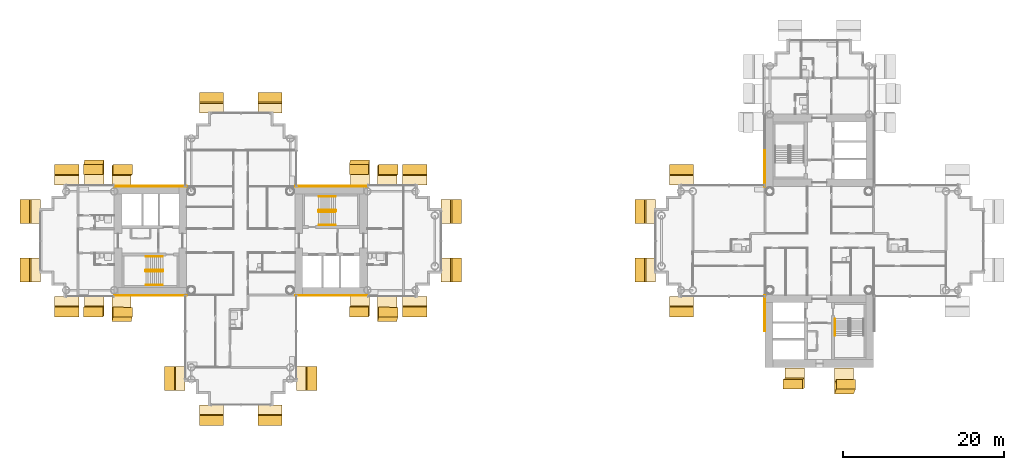
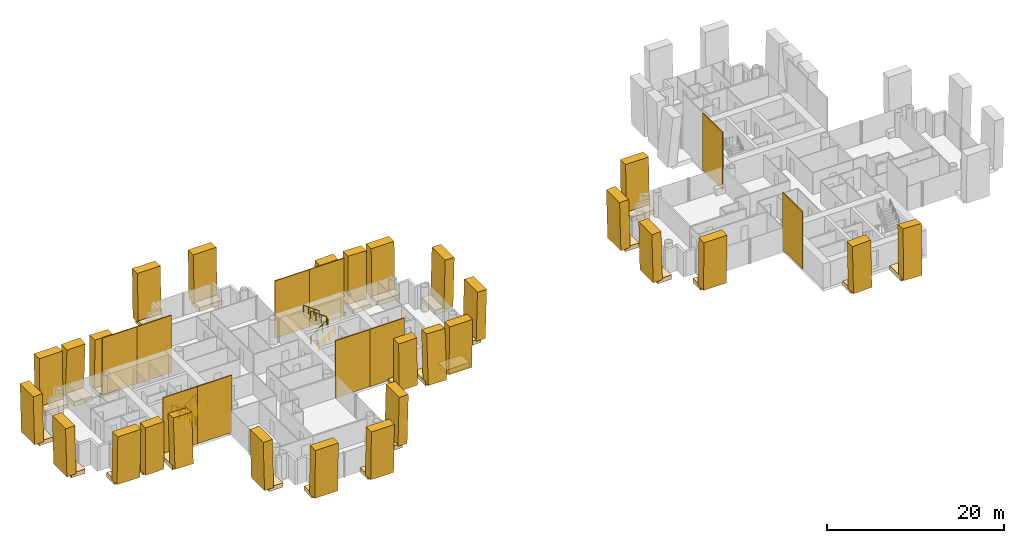
# One storey, part 18 of 20: 66 coverings, 7 railings.
"""IFC4 building model written with IfcOpenShell, lengths in metres."""

from ifc_helpers import new_model, si_unit, direction, frame, origin, origin_2d, place, context, subcontext, project, spatial, rectangle, circle, extrude, material, layer, layer_set, material_profile, profile_set, type_object, element, save


model = new_model("IFC4")

# Units and contexts
model_context = context("Model", 3, precision=1e-05, world=origin(), true_north=direction((0.0, 1.0)))
body_context = subcontext(model_context, "Body", "Model", "MODEL_VIEW")
ifc_project = project(units=[si_unit("LENGTHUNIT", "METRE"), si_unit("AREAUNIT", "SQUARE_METRE"), si_unit("VOLUMEUNIT", "CUBIC_METRE"), si_unit("PLANEANGLEUNIT", "RADIAN"), si_unit("MASSUNIT", "GRAM", prefix="KILO")], contexts=[model_context])

# Site, building, storey
site_placement = place(None, origin())
site = spatial("IfcSite", under=ifc_project, at=site_placement, CompositionType="ELEMENT")
building_placement = place(site_placement, origin())
building = spatial("IfcBuilding", under=site, at=building_placement, Name="Ipe Terrace Towers", CompositionType="ELEMENT")
storey_placement = place(building_placement, frame((0.0, 0.0, 120.800048828125)))
storey = spatial("IfcBuildingStorey", under=building, at=storey_placement, Name="L33", CompositionType="ELEMENT", Elevation=120.800048828125)

# Coverings
ifc_material_1 = material(Name="Concrete C50/60 precast, buff finish", Category="concrete")
ifc_layer = layer(ifc_material_1, 0.1201171875)
ifc_layer_set = layer_set([ifc_layer], Name="STONE CORE CLADDING 120")
covering_type_1 = type_object("IfcCoveringType", Name="STONE CORE CLADDING 120", PredefinedType="CLADDING", material=ifc_layer_set)
covering_1_placement = place(storey_placement, frame((-49.5009765625, -6.81005859375, 0.0), z_axis=(0.0, 0.0, 1.0), x_axis=(1.0, 0.0, 0.0)))
element("IfcCovering", 1, at=covering_1_placement, inside=storey, type_object=covering_type_1, Name="stone core cladding", PredefinedType="CLADDING", context=body_context, shape_type="SweptSolid", body=[
    extrude(rectangle(XDim=4.5009765625, YDim=0.1201171875, at=origin_2d()), origin(), (0.0, 0.0, 1.0), 7.89990234375),
])
covering_2_placement = place(storey_placement, frame((-45.0, -6.81005859375, 0.0), z_axis=(0.0, 0.0, 1.0), x_axis=(1.0, 0.0, 0.0)))
element("IfcCovering", 2, at=covering_2_placement, inside=storey, type_object=covering_type_1, Name="stone core cladding", PredefinedType="CLADDING", context=body_context, shape_type="SweptSolid", body=[
    extrude(rectangle(XDim=4.5, YDim=0.1201171875, at=origin_2d()), origin(), (0.0, 0.0, 1.0), 7.89990234375),
])
covering_3_placement = place(storey_placement, frame((-49.5009765625, 6.81005859375, 0.0), z_axis=(0.0, 0.0, 1.0), x_axis=(-1.0, 0.0, 0.0)))
element("IfcCovering", 3, at=covering_3_placement, inside=storey, type_object=covering_type_1, Name="stone core cladding", PredefinedType="CLADDING", context=body_context, shape_type="SweptSolid", body=[
    extrude(rectangle(XDim=4.5009765625, YDim=0.1201171875, at=origin_2d()), origin(), (0.0, 0.0, 1.0), 7.89990234375),
])
for number, where, z_axis, x_axis, name in (
    (4, (-45.0, 6.81005859375, 0.0), (0.0, 0.0, 1.0), (-1.0, 0.0, 0.0), "stone core cladding"),
    (5, (-27.0, -6.81005859375, 0.0), (0.0, 0.0, 1.0), (1.0, 0.0, 0.0), "stone core cladding"),
):
    element("IfcCovering", number, at=place(storey_placement, frame(where, z_axis=z_axis, x_axis=x_axis)), inside=storey, type_object=covering_type_1, Name=name, PredefinedType="CLADDING", context=body_context, shape_type="SweptSolid", body=[
        extrude(rectangle(XDim=4.5, YDim=0.1201171875, at=origin_2d()), origin(), (0.0, 0.0, 1.0), 7.89990234375),
    ])
covering_4_placement = place(storey_placement, frame((-22.4990234375, -6.81005859375, 0.0), z_axis=(0.0, 0.0, 1.0), x_axis=(1.0, 0.0, 0.0)))
element("IfcCovering", 6, at=covering_4_placement, inside=storey, type_object=covering_type_1, Name="stone core cladding", PredefinedType="CLADDING", context=body_context, shape_type="SweptSolid", body=[
    extrude(rectangle(XDim=4.5009765625, YDim=0.1201171875, at=origin_2d()), origin(), (0.0, 0.0, 1.0), 7.89990234375),
])
covering_5_placement = place(storey_placement, frame((-27.0, 6.81005859375, 0.0), z_axis=(0.0, 0.0, 1.0), x_axis=(-1.0, 0.0, 0.0)))
element("IfcCovering", 7, at=covering_5_placement, inside=storey, type_object=covering_type_1, Name="stone core cladding", PredefinedType="CLADDING", context=body_context, shape_type="SweptSolid", body=[
    extrude(rectangle(XDim=4.5, YDim=0.1201171875, at=origin_2d()), origin(), (0.0, 0.0, 1.0), 7.89990234375),
])
covering_6_placement = place(storey_placement, frame((-22.4990234375, 6.81005859375, 0.0), z_axis=(0.0, 0.0, 1.0), x_axis=(-1.0, 0.0, 0.0)))
element("IfcCovering", 8, at=covering_6_placement, inside=storey, type_object=covering_type_1, Name="stone core cladding", PredefinedType="CLADDING", context=body_context, shape_type="SweptSolid", body=[
    extrude(rectangle(XDim=4.5009765625, YDim=0.1201171875, at=origin_2d()), origin(), (0.0, 0.0, 1.0), 7.89990234375),
])
for number, where, z_axis, x_axis, name in (
    (9, (29.18994140625, -9.0, 0.0), (0.0, 0.0, 1.0), (0.0, -1.0, 0.0), "stone core cladding"),
    (10, (29.18994140625, 9.0, 0.0), (0.0, 0.0, 1.0), (0.0, -1.0, 0.0), "stone core cladding"),
):
    element("IfcCovering", number, at=place(storey_placement, frame(where, z_axis=z_axis, x_axis=x_axis)), inside=storey, type_object=covering_type_1, Name=name, PredefinedType="CLADDING", context=body_context, shape_type="SweptSolid", body=[
        extrude(rectangle(XDim=4.5, YDim=0.1201171875, at=origin_2d()), origin(), (0.0, 0.0, 1.0), 7.89990234375),
    ])
ifc_material_2 = material(Name="Concrete C50/60 precast, buff finish", Category="concrete")
ifc_material_profile_1 = material_profile(ifc_material_2, rectangle(XDim=2.39990234375, YDim=1.199951171875, at=origin_2d()), Name="STONE FIN 2400 x 1200")
ifc_profile_set_1 = profile_set([ifc_material_profile_1], Name="Concrete C50/60 precast, buff finish")
covering_type_2 = type_object("IfcCoveringType", Name="STONE FIN 2400 x 1200", PredefinedType="USERDEFINED", material=ifc_profile_set_1)
covering_7_placement = place(storey_placement, frame((-17.785888671875, -9.47509765625, 0.0), z_axis=(0.020210245286, 0.089912006855, 0.995744634436), x_axis=(0.999795752134, -0.001817514937, -0.020128354477)))
element("IfcCovering", 11, at=covering_7_placement, inside=storey, type_object=covering_type_2, Name="stone fin", ObjectType="FIN", PredefinedType="USERDEFINED", context=body_context, shape_type="SweptSolid", body=[
    extrude(rectangle(XDim=2.39990234375, YDim=1.199951171875, at=origin_2d()), origin(), (0.0, 0.0, 1.0), 6.728515625),
])
for number, where, z_axis, x_axis, name in (
    (12, (-17.785888671875, 8.701904296875, 0.0), (0.020286045552, 0.025093510566, 0.999479260457), (-0.999794217005, 0.000509152872, 0.020279655014), "stone fin"),
    (13, (-21.1640625, -8.701904296875, 0.0), (-0.020286045552, -0.025093510566, 0.999479260457), (0.999794217005, -0.000509152872, 0.020279655014), "stone fin"),
):
    element("IfcCovering", number, at=place(storey_placement, frame(where, z_axis=z_axis, x_axis=x_axis)), inside=storey, type_object=covering_type_2, Name=name, ObjectType="FIN", PredefinedType="USERDEFINED", context=body_context, shape_type="SweptSolid", body=[
        extrude(rectangle(XDim=2.39990234375, YDim=1.199951171875, at=origin_2d()), origin(), (0.0, 0.0, 1.0), 6.703369140625),
    ])
for number, where, z_axis, x_axis, name in (
    (14, (-21.1640625, 9.47509765625, 0.0), (-0.020210245286, -0.089912006855, 0.995744634436), (-0.999795752134, 0.001817514937, -0.020128354477), "stone fin"),
    (15, (-50.8359375, -9.47509765625, 0.0), (0.020210245286, 0.089912006855, 0.995744634436), (0.999795752134, -0.001817514937, -0.020128354477), "stone fin"),
):
    element("IfcCovering", number, at=place(storey_placement, frame(where, z_axis=z_axis, x_axis=x_axis)), inside=storey, type_object=covering_type_2, Name=name, ObjectType="FIN", PredefinedType="USERDEFINED", context=body_context, shape_type="SweptSolid", body=[
        extrude(rectangle(XDim=2.39990234375, YDim=1.199951171875, at=origin_2d()), origin(), (0.0, 0.0, 1.0), 6.728515625),
    ])
for number, where, z_axis, x_axis, name in (
    (16, (-50.8359375, 8.701904296875, 0.0), (0.020286045552, 0.025093510566, 0.999479260457), (-0.999794217005, 0.000509152872, 0.020279655014), "stone fin"),
    (17, (-54.214111328125, -8.701904296875, 0.0), (-0.020286045552, -0.025093510566, 0.999479260457), (0.999794217005, -0.000509152872, 0.020279655014), "stone fin"),
):
    element("IfcCovering", number, at=place(storey_placement, frame(where, z_axis=z_axis, x_axis=x_axis)), inside=storey, type_object=covering_type_2, Name=name, ObjectType="FIN", PredefinedType="USERDEFINED", context=body_context, shape_type="SweptSolid", body=[
        extrude(rectangle(XDim=2.39990234375, YDim=1.199951171875, at=origin_2d()), origin(), (0.0, 0.0, 1.0), 6.703369140625),
    ])
covering_8_placement = place(storey_placement, frame((-54.214111328125, 9.47509765625, 0.0), z_axis=(-0.020210245286, -0.089912006855, 0.995744634436), x_axis=(-0.999795752134, 0.001817514937, -0.020128354477)))
element("IfcCovering", 18, at=covering_8_placement, inside=storey, type_object=covering_type_2, Name="stone fin", ObjectType="FIN", PredefinedType="USERDEFINED", context=body_context, shape_type="SweptSolid", body=[
    extrude(rectangle(XDim=2.39990234375, YDim=1.199951171875, at=origin_2d()), origin(), (0.0, 0.0, 1.0), 6.728515625),
])
covering_9_placement = place(storey_placement, frame((32.946044921875, -17.701904296875, 0.0), z_axis=(-0.036694378133, -0.025081772355, 0.999011725311), x_axis=(0.999326534529, -0.000920980287, 0.03668281862)))
element("IfcCovering", 19, at=covering_9_placement, inside=storey, type_object=covering_type_2, Name="stone fin", ObjectType="FIN", PredefinedType="USERDEFINED", context=body_context, shape_type="SweptSolid", body=[
    extrude(rectangle(XDim=2.39990234375, YDim=1.199951171875, at=origin_2d()), origin(), (0.0, 0.0, 1.0), 6.70654296875),
])
covering_10_placement = place(storey_placement, frame((39.053955078125, -18.47509765625, 0.0), z_axis=(0.036557394483, 0.089870261437, 0.995282318248), x_axis=(0.999331555045, -0.003287620187, -0.036409265921)))
element("IfcCovering", 20, at=covering_10_placement, inside=storey, type_object=covering_type_2, Name="stone fin", ObjectType="FIN", PredefinedType="USERDEFINED", context=body_context, shape_type="SweptSolid", body=[
    extrude(rectangle(XDim=2.39990234375, YDim=1.199951171875, at=origin_2d()), origin(), (0.0, 0.0, 1.0), 6.731689453125),
])
ifc_material_3 = material(Name="Concrete C50/60 precast, buff finish", Category="concrete")
ifc_material_profile_2 = material_profile(ifc_material_3, rectangle(XDim=3.0, YDim=1.199951171875, at=origin_2d()), Name="STONE FIN CORNER 3000 x 1200")
ifc_profile_set_2 = profile_set([ifc_material_profile_2], Name="Concrete C50/60 precast, buff finish")
covering_type_3 = type_object("IfcCoveringType", Name="STONE FIN CORNER 3000 x 1200", PredefinedType="USERDEFINED", material=ifc_profile_set_2)
for number, where, z_axis, x_axis, name in (
    (21, (-9.298095703125, -3.64990234375, 0.0), (0.025098675446, 0.0, 0.999684978626), (0.0, 1.0, 0.0), "stone fin"),
    (22, (-9.298095703125, 3.64990234375, 0.0), (0.025098675446, 0.0, 0.999684978626), (0.0, 1.0, 0.0), "stone fin"),
    (23, (-14.35009765625, -8.701904296875, 0.0), (0.0, -0.025098675446, 0.999684978626), (1.0, 0.0, 0.0), "stone fin"),
    (24, (-14.35009765625, 8.701904296875, 0.0), (0.0, 0.025098675446, 0.999684978626), (-1.0, 0.0, 0.0), "stone fin"),
    (25, (-27.298095703125, -17.14990234375, 0.0), (0.025098675446, 0.0, 0.999684978626), (0.0, 1.0, 0.0), "stone fin"),
    (26, (-32.35009765625, -22.201904296875, 0.0), (0.0, -0.025098675446, 0.999684978626), (1.0, 0.0, 0.0), "stone fin"),
    (27, (-32.35009765625, 17.701904296875, 0.0), (0.0, 0.025098675446, 0.999684978626), (-1.0, 0.0, 0.0), "stone fin"),
    (28, (-39.64990234375, -22.201904296875, 0.0), (0.0, -0.025098675446, 0.999684978626), (1.0, 0.0, 0.0), "stone fin"),
    (29, (-39.64990234375, 17.701904296875, 0.0), (0.0, 0.025098675446, 0.999684978626), (-1.0, 0.0, 0.0), "stone fin"),
    (30, (-44.701904296875, -17.14990234375, 0.0), (-0.025098675446, 0.0, 0.999684978626), (0.0, -1.0, 0.0), "stone fin"),
    (31, (-57.64990234375, -8.701904296875, 0.0), (0.0, -0.025098675446, 0.999684978626), (1.0, 0.0, 0.0), "stone fin"),
    (32, (-57.64990234375, 8.701904296875, 0.0), (0.0, 0.025098675446, 0.999684978626), (-1.0, 0.0, 0.0), "stone fin"),
    (33, (-62.701904296875, -3.64990234375, 0.0), (-0.025098675446, 0.0, 0.999684978626), (0.0, -1.0, 0.0), "stone fin"),
    (34, (-62.701904296875, 3.64990234375, 0.0), (-0.025098675446, 0.0, 0.999684978626), (0.0, -1.0, 0.0), "stone fin"),
    (35, (13.798095703125, -3.64990234375, 0.0), (-0.025098675446, 0.0, 0.999684978626), (0.0, -1.0, 0.0), "stone fin"),
    (36, (13.798095703125, 3.64990234375, 0.0), (-0.025098675446, 0.0, 0.999684978626), (0.0, -1.0, 0.0), "stone fin"),
    (37, (18.85009765625, -8.701904296875, 0.0), (0.0, -0.025098675446, 0.999684978626), (1.0, 0.0, 0.0), "stone fin"),
    (38, (18.85009765625, 8.701904296875, 0.0), (0.0, 0.025098675446, 0.999684978626), (-1.0, 0.0, 0.0), "stone fin"),
):
    element("IfcCovering", number, at=place(storey_placement, frame(where, z_axis=z_axis, x_axis=x_axis)), inside=storey, type_object=covering_type_3, Name=name, ObjectType="FIN", PredefinedType="USERDEFINED", context=body_context, shape_type="SweptSolid", body=[
        extrude(rectangle(XDim=3.0, YDim=1.199951171875, at=origin_2d()), origin(), (0.0, 0.0, 1.0), 6.7021484375),
    ])
ifc_material_4 = material(Name="Concrete C50/60 precast, buff finish", Category="concrete")
covering_type_4 = type_object("IfcCoveringType", Name="STONE FIN SHELF 2400 x 600", PredefinedType="CLADDING", material=ifc_material_4)
covering_11_placement = place(storey_placement, frame((-17.785888671875, -8.195068359375, -0.35009765625), z_axis=(0.0, 0.0, 1.0), x_axis=(1.0, 0.0, 0.0)))
element("IfcCovering", 39, at=covering_11_placement, inside=storey, type_object=covering_type_4, Name="stone fin shelf", PredefinedType="CLADDING", context=body_context, shape_type="SweptSolid", body=[
    extrude(rectangle(XDim=2.39990234375, YDim=2.55908203125, at=origin_2d()), origin(), (0.0, 0.0, 1.0), 0.60009765625),
])
covering_12_placement = place(storey_placement, frame((-17.785888671875, 7.80908203125, -0.35009765625), z_axis=(0.0, 0.0, 1.0), x_axis=(-1.0, 0.0, 0.0)))
element("IfcCovering", 40, at=covering_12_placement, inside=storey, type_object=covering_type_4, Name="stone fin shelf", PredefinedType="CLADDING", context=body_context, shape_type="SweptSolid", body=[
    extrude(rectangle(XDim=2.39990234375, YDim=1.785888671875, at=origin_2d()), origin(), (0.0, 0.0, 1.0), 0.60009765625),
])
covering_13_placement = place(storey_placement, frame((-21.1640625, -7.781005859375, -0.35009765625), z_axis=(0.0, 0.0, 1.0), x_axis=(1.0, 0.0, 0.0)))
element("IfcCovering", 41, at=covering_13_placement, inside=storey, type_object=covering_type_4, Name="stone fin shelf", PredefinedType="CLADDING", context=body_context, shape_type="SweptSolid", body=[
    extrude(rectangle(XDim=2.39990234375, YDim=1.842041015625, at=origin_2d()), origin(), (0.0, 0.0, 1.0), 0.60009765625),
])
for number, where, z_axis, x_axis, name in (
    (42, (-21.1640625, 8.16796875, -0.35009765625), (0.0, 0.0, 1.0), (-1.0, 0.0, 0.0), "stone fin shelf"),
    (43, (-50.8359375, -8.16796875, -0.35009765625), (0.0, 0.0, 1.0), (1.0, 0.0, 0.0), "stone fin shelf"),
):
    element("IfcCovering", number, at=place(storey_placement, frame(where, z_axis=z_axis, x_axis=x_axis)), inside=storey, type_object=covering_type_4, Name=name, PredefinedType="CLADDING", context=body_context, shape_type="SweptSolid", body=[
        extrude(rectangle(XDim=2.39990234375, YDim=2.614990234375, at=origin_2d()), origin(), (0.0, 0.0, 1.0), 0.60009765625),
    ])
covering_14_placement = place(storey_placement, frame((-50.8359375, 7.781005859375, -0.35009765625), z_axis=(0.0, 0.0, 1.0), x_axis=(-1.0, 0.0, 0.0)))
element("IfcCovering", 44, at=covering_14_placement, inside=storey, type_object=covering_type_4, Name="stone fin shelf", PredefinedType="CLADDING", context=body_context, shape_type="SweptSolid", body=[
    extrude(rectangle(XDim=2.39990234375, YDim=1.842041015625, at=origin_2d()), origin(), (0.0, 0.0, 1.0), 0.60009765625),
])
covering_15_placement = place(storey_placement, frame((-54.214111328125, -7.80908203125, -0.35009765625), z_axis=(0.0, 0.0, 1.0), x_axis=(1.0, 0.0, 0.0)))
element("IfcCovering", 45, at=covering_15_placement, inside=storey, type_object=covering_type_4, Name="stone fin shelf", PredefinedType="CLADDING", context=body_context, shape_type="SweptSolid", body=[
    extrude(rectangle(XDim=2.39990234375, YDim=1.785888671875, at=origin_2d()), origin(), (0.0, 0.0, 1.0), 0.60009765625),
])
covering_16_placement = place(storey_placement, frame((-54.214111328125, 8.195068359375, -0.35009765625), z_axis=(0.0, 0.0, 1.0), x_axis=(-1.0, 0.0, 0.0)))
element("IfcCovering", 46, at=covering_16_placement, inside=storey, type_object=covering_type_4, Name="stone fin shelf", PredefinedType="CLADDING", context=body_context, shape_type="SweptSolid", body=[
    extrude(rectangle(XDim=2.39990234375, YDim=2.55908203125, at=origin_2d()), origin(), (0.0, 0.0, 1.0), 0.60009765625),
])
covering_17_placement = place(storey_placement, frame((32.946044921875, -16.781005859375, -0.35009765625), z_axis=(0.0, 0.0, 1.0), x_axis=(1.0, 0.0, 0.0)))
element("IfcCovering", 47, at=covering_17_placement, inside=storey, type_object=covering_type_4, Name="stone fin shelf", PredefinedType="CLADDING", context=body_context, shape_type="SweptSolid", body=[
    extrude(rectangle(XDim=2.39990234375, YDim=1.842041015625, at=origin_2d()), origin(), (0.0, 0.0, 1.0), 0.60009765625),
])
covering_18_placement = place(storey_placement, frame((39.053955078125, -17.16796875, -0.35009765625), z_axis=(0.0, 0.0, 1.0), x_axis=(1.0, 0.0, 0.0)))
element("IfcCovering", 48, at=covering_18_placement, inside=storey, type_object=covering_type_4, Name="stone fin shelf", PredefinedType="CLADDING", context=body_context, shape_type="SweptSolid", body=[
    extrude(rectangle(XDim=2.39990234375, YDim=2.614990234375, at=origin_2d()), origin(), (0.0, 0.0, 1.0), 0.60009765625),
])
ifc_material_5 = material(Name="Concrete C50/60 precast, buff finish", Category="concrete")
covering_type_5 = type_object("IfcCoveringType", Name="STONE FIN SHELF 3000 x 600", PredefinedType="CLADDING", material=ifc_material_5)
for number, where, z_axis, x_axis, name in (
    (49, (-10.19091796875, -3.64990234375, -0.35009765625), (0.0, 0.0, 1.0), (0.0, 1.0, 0.0), "stone fin shelf"),
    (50, (-10.19091796875, 3.64990234375, -0.35009765625), (0.0, 0.0, 1.0), (0.0, 1.0, 0.0), "stone fin shelf"),
    (51, (-14.35009765625, -7.80908203125, -0.35009765625), (0.0, 0.0, 1.0), (1.0, 0.0, 0.0), "stone fin shelf"),
    (52, (-14.35009765625, 7.80908203125, -0.35009765625), (0.0, 0.0, 1.0), (-1.0, 0.0, 0.0), "stone fin shelf"),
    (53, (-28.19091796875, -17.14990234375, -0.35009765625), (0.0, 0.0, 1.0), (0.0, 1.0, 0.0), "stone fin shelf"),
    (54, (-32.35009765625, -21.30908203125, -0.35009765625), (0.0, 0.0, 1.0), (1.0, 0.0, 0.0), "stone fin shelf"),
    (55, (-32.35009765625, 16.80908203125, -0.35009765625), (0.0, 0.0, 1.0), (-1.0, 0.0, 0.0), "stone fin shelf"),
    (56, (-39.64990234375, -21.30908203125, -0.35009765625), (0.0, 0.0, 1.0), (1.0, 0.0, 0.0), "stone fin shelf"),
    (57, (-39.64990234375, 16.80908203125, -0.35009765625), (0.0, 0.0, 1.0), (-1.0, 0.0, 0.0), "stone fin shelf"),
    (58, (-43.80908203125, -17.14990234375, -0.35009765625), (0.0, 0.0, 1.0), (0.0, -1.0, 0.0), "stone fin shelf"),
    (59, (-57.64990234375, -7.80908203125, -0.35009765625), (0.0, 0.0, 1.0), (1.0, 0.0, 0.0), "stone fin shelf"),
    (60, (-57.64990234375, 7.80908203125, -0.35009765625), (0.0, 0.0, 1.0), (-1.0, 0.0, 0.0), "stone fin shelf"),
    (61, (-61.80908203125, -3.64990234375, -0.35009765625), (0.0, 0.0, 1.0), (0.0, -1.0, 0.0), "stone fin shelf"),
    (62, (-61.80908203125, 3.64990234375, -0.35009765625), (0.0, 0.0, 1.0), (0.0, -1.0, 0.0), "stone fin shelf"),
    (63, (14.69091796875, -3.64990234375, -0.35009765625), (0.0, 0.0, 1.0), (0.0, -1.0, 0.0), "stone fin shelf"),
    (64, (14.69091796875, 3.64990234375, -0.35009765625), (0.0, 0.0, 1.0), (0.0, -1.0, 0.0), "stone fin shelf"),
    (65, (18.85009765625, -7.80908203125, -0.35009765625), (0.0, 0.0, 1.0), (1.0, 0.0, 0.0), "stone fin shelf"),
    (66, (18.85009765625, 7.80908203125, -0.35009765625), (0.0, 0.0, 1.0), (-1.0, 0.0, 0.0), "stone fin shelf"),
):
    element("IfcCovering", number, at=place(storey_placement, frame(where, z_axis=z_axis, x_axis=x_axis)), inside=storey, type_object=covering_type_5, Name=name, PredefinedType="CLADDING", context=body_context, shape_type="SweptSolid", body=[
        extrude(rectangle(XDim=3.0, YDim=1.785888671875, at=origin_2d()), origin(), (0.0, 0.0, 1.0), 0.60009765625),
    ])

# Railings
ifc_material_6 = material(Name="Steel S355", Category="steel")
railing_type_1 = type_object("IfcRailingType", Name="Stair guard 1100", PredefinedType="GUARDRAIL", material=ifc_material_6)
railing_1_placement = place(storey_placement, frame((-26.35009765625, 3.800048828125, 0.0)))
element("IfcRailing", 67, at=railing_1_placement, inside=storey, type_object=railing_type_1, Name="L33 T1-ST1 stair guard 1", PredefinedType="GUARDRAIL", context=body_context, shape_type="SweptSolid", body=[
    extrude(circle(Radius=0.02392578125, at=origin_2d()), frame((0.0, 0.0, 1.076171875), z_axis=(0.0, -1.0, 0.0), x_axis=(1.0, 0.0, 0.0)), (0.0, 0.0, 1.0), 0.150146484375),
    extrude(circle(Radius=0.02392578125, at=origin_2d()), frame((0.0, -0.150146484375, 1.076171875), z_axis=(0.248385422981, -0.247173786771, 0.936594790069), x_axis=(0.705375805398, 0.708833529934, 0.0)), (0.0, 0.0, 1.0), 0.201416015625),
    extrude(circle(Radius=0.02392578125, at=origin_2d()), frame((0.050048828125, -0.199951171875, 1.2646484375), z_axis=(0.809023421508, 0.0, 0.587776406001), x_axis=(0.0, 1.0, 0.0)), (0.0, 0.0, 1.0), 2.571044921875),
    extrude(circle(Radius=0.02392578125, at=origin_2d()), frame((2.130126953125, -0.199951171875, 2.77587890625), z_axis=(0.708833529934, 0.705375805398, 0.0), x_axis=(-0.705375805398, 0.708833529934, 0.0)), (0.0, 0.0, 1.0), 0.070556640625),
    extrude(circle(Radius=0.02392578125, at=origin_2d()), frame((2.18017578125, -0.150146484375, 2.77587890625), z_axis=(0.0, 1.0, 0.0), x_axis=(-1.0, 0.0, 0.0)), (0.0, 0.0, 1.0), 0.150146484375),
    extrude(circle(Radius=0.02392578125, at=origin_2d()), frame((2.18017578125, 0.0, 2.77587890625), z_axis=(-0.248029566107, 0.248029566107, 0.936462849596), x_axis=(-0.707106781187, -0.707106781187, 0.0)), (0.0, 0.0, 1.0), 0.201904296875),
    extrude(circle(Radius=0.02392578125, at=origin_2d()), frame((2.130126953125, 0.050048828125, 2.96484375), z_axis=(-0.809068575486, 0.0, 0.587714250432), x_axis=(0.0, -1.0, 0.0)), (0.0, 0.0, 1.0), 2.571044921875),
    extrude(circle(Radius=0.02099609375, at=origin_2d()), origin(), (0.0, 0.0, 1.0), 1.052001953125),
    extrude(circle(Radius=0.02099609375, at=origin_2d()), frame((0.0, -0.150146484375, 0.0)), (0.0, 0.0, 1.0), 1.052001953125),
    extrude(circle(Radius=0.02099609375, at=origin_2d()), frame((0.050048828125, -0.199951171875, 0.188720703125)), (0.0, 0.0, 1.0), 1.052001953125),
    extrude(circle(Radius=0.02099609375, at=origin_2d()), frame((0.743408203125, -0.199951171875, 0.6923828125)), (0.0, 0.0, 1.0), 1.052001953125),
    extrude(circle(Radius=0.02099609375, at=origin_2d()), frame((1.436767578125, -0.199951171875, 1.1962890625)), (0.0, 0.0, 1.0), 1.052001953125),
    extrude(circle(Radius=0.02099609375, at=origin_2d()), frame((2.130126953125, -0.199951171875, 1.699951171875)), (0.0, 0.0, 1.0), 1.052001953125),
    extrude(circle(Radius=0.02099609375, at=origin_2d()), frame((2.18017578125, -0.150146484375, 1.699951171875)), (0.0, 0.0, 1.0), 1.052001953125),
    extrude(circle(Radius=0.02099609375, at=origin_2d()), frame((2.18017578125, 0.0, 1.699951171875)), (0.0, 0.0, 1.0), 1.052001953125),
    extrude(circle(Radius=0.02099609375, at=origin_2d()), frame((2.130126953125, 0.050048828125, 1.888916015625)), (0.0, 0.0, 1.0), 1.052001953125),
    extrude(circle(Radius=0.02099609375, at=origin_2d()), frame((1.436767578125, 0.050048828125, 2.392578125)), (0.0, 0.0, 1.0), 1.052001953125),
    extrude(circle(Radius=0.02099609375, at=origin_2d()), frame((0.743408203125, 0.050048828125, 2.896240234375)), (0.0, 0.0, 1.0), 1.052001953125),
    extrude(circle(Radius=0.02099609375, at=origin_2d()), frame((0.050048828125, 0.050048828125, 3.39990234375)), (0.0, 0.0, 1.0), 1.052001953125),
])
railing_2_placement = place(storey_placement, frame((-45.64990234375, -3.800048828125, 0.0)))
element("IfcRailing", 68, at=railing_2_placement, inside=storey, type_object=railing_type_1, Name="L33 T1-ST2 stair guard 1", PredefinedType="GUARDRAIL", context=body_context, shape_type="SweptSolid", body=[
    extrude(circle(Radius=0.02392578125, at=origin_2d()), frame((0.0, 0.0, 1.076171875), z_axis=(0.0, 1.0, 0.0), x_axis=(-1.0, 0.0, 0.0)), (0.0, 0.0, 1.0), 0.150146484375),
    extrude(circle(Radius=0.02392578125, at=origin_2d()), frame((0.0, 0.150146484375, 1.076171875), z_axis=(-0.248385422981, 0.247173786771, 0.936594790069), x_axis=(-0.705375805398, -0.708833529934, 0.0)), (0.0, 0.0, 1.0), 0.201416015625),
    extrude(circle(Radius=0.02392578125, at=origin_2d()), frame((-0.050048828125, 0.199951171875, 1.2646484375), z_axis=(-0.809023421508, 0.0, 0.587776406001), x_axis=(0.0, -1.0, 0.0)), (0.0, 0.0, 1.0), 2.571044921875),
    extrude(circle(Radius=0.02392578125, at=origin_2d()), frame((-2.130126953125, 0.199951171875, 2.77587890625), z_axis=(-0.708833529934, -0.705375805398, 0.0), x_axis=(0.705375805398, -0.708833529934, 0.0)), (0.0, 0.0, 1.0), 0.070556640625),
    extrude(circle(Radius=0.02392578125, at=origin_2d()), frame((-2.18017578125, 0.150146484375, 2.77587890625), z_axis=(0.0, -1.0, 0.0), x_axis=(1.0, 0.0, 0.0)), (0.0, 0.0, 1.0), 0.150146484375),
    extrude(circle(Radius=0.02392578125, at=origin_2d()), frame((-2.18017578125, 0.0, 2.77587890625), z_axis=(0.248029566107, -0.248029566107, 0.936462849596), x_axis=(0.707106781187, 0.707106781187, 0.0)), (0.0, 0.0, 1.0), 0.201904296875),
    extrude(circle(Radius=0.02392578125, at=origin_2d()), frame((-2.130126953125, -0.050048828125, 2.96484375), z_axis=(0.809068575486, 0.0, 0.587714250432), x_axis=(0.0, 1.0, 0.0)), (0.0, 0.0, 1.0), 2.571044921875),
    extrude(circle(Radius=0.02099609375, at=origin_2d()), origin(), (0.0, 0.0, 1.0), 1.052001953125),
    extrude(circle(Radius=0.02099609375, at=origin_2d()), frame((0.0, 0.150146484375, 0.0)), (0.0, 0.0, 1.0), 1.052001953125),
    extrude(circle(Radius=0.02099609375, at=origin_2d()), frame((-0.050048828125, 0.199951171875, 0.188720703125)), (0.0, 0.0, 1.0), 1.052001953125),
    extrude(circle(Radius=0.02099609375, at=origin_2d()), frame((-0.743408203125, 0.199951171875, 0.6923828125)), (0.0, 0.0, 1.0), 1.052001953125),
    extrude(circle(Radius=0.02099609375, at=origin_2d()), frame((-1.436767578125, 0.199951171875, 1.1962890625)), (0.0, 0.0, 1.0), 1.052001953125),
    extrude(circle(Radius=0.02099609375, at=origin_2d()), frame((-2.130126953125, 0.199951171875, 1.699951171875)), (0.0, 0.0, 1.0), 1.052001953125),
    extrude(circle(Radius=0.02099609375, at=origin_2d()), frame((-2.18017578125, 0.150146484375, 1.699951171875)), (0.0, 0.0, 1.0), 1.052001953125),
    extrude(circle(Radius=0.02099609375, at=origin_2d()), frame((-2.18017578125, 0.0, 1.699951171875)), (0.0, 0.0, 1.0), 1.052001953125),
    extrude(circle(Radius=0.02099609375, at=origin_2d()), frame((-2.130126953125, -0.050048828125, 1.888916015625)), (0.0, 0.0, 1.0), 1.052001953125),
    extrude(circle(Radius=0.02099609375, at=origin_2d()), frame((-1.436767578125, -0.050048828125, 2.392578125)), (0.0, 0.0, 1.0), 1.052001953125),
    extrude(circle(Radius=0.02099609375, at=origin_2d()), frame((-0.743408203125, -0.050048828125, 2.896240234375)), (0.0, 0.0, 1.0), 1.052001953125),
    extrude(circle(Radius=0.02099609375, at=origin_2d()), frame((-0.050048828125, -0.050048828125, 3.39990234375)), (0.0, 0.0, 1.0), 1.052001953125),
])
ifc_material_7 = material(Name="Stainless steel grade 304", Category="steel")
railing_type_2 = type_object("IfcRailingType", Name="Stair handrail 900", PredefinedType="HANDRAIL", material=ifc_material_7)
railing_3_placement = place(storey_placement, frame((-26.300048828125, 1.949951171875, 0.188720703125)))
element("IfcRailing", 69, at=railing_3_placement, inside=storey, type_object=railing_type_2, Name="L33 T1-ST1 stair handrail 1", PredefinedType="HANDRAIL", context=body_context, shape_type="SweptSolid", body=[
    extrude(circle(Radius=0.02392578125, at=origin_2d()), frame((0.0, 0.0, 0.8759765625), z_axis=(0.809023421508, 0.0, 0.587776406001), x_axis=(0.0, 1.0, 0.0)), (0.0, 0.0, 1.0), 2.571044921875),
    extrude(circle(Radius=0.02099609375, at=origin_2d()), origin(), (0.0, 0.0, 1.0), 0.851806640625),
    extrude(circle(Radius=0.02099609375, at=origin_2d()), frame((0.693359375, 0.0, 0.503662109375)), (0.0, 0.0, 1.0), 0.851806640625),
    extrude(circle(Radius=0.02099609375, at=origin_2d()), frame((1.38671875, 0.0, 1.007568359375)), (0.0, 0.0, 1.0), 0.851806640625),
    extrude(circle(Radius=0.02099609375, at=origin_2d()), frame((2.080078125, 0.0, 1.51123046875)), (0.0, 0.0, 1.0), 0.851806640625),
])
railing_4_placement = place(storey_placement, frame((-24.219970703125, 5.5, 1.888916015625)))
element("IfcRailing", 70, at=railing_4_placement, inside=storey, type_object=railing_type_2, Name="L33 T1-ST1 stair handrail 2", PredefinedType="HANDRAIL", context=body_context, shape_type="SweptSolid", body=[
    extrude(circle(Radius=0.02392578125, at=origin_2d()), frame((0.0, 0.0, 0.8759765625), z_axis=(-0.809068575486, 0.0, 0.587714250432), x_axis=(0.0, -1.0, 0.0)), (0.0, 0.0, 1.0), 2.571044921875),
    extrude(circle(Radius=0.02099609375, at=origin_2d()), origin(), (0.0, 0.0, 1.0), 0.851806640625),
    extrude(circle(Radius=0.02099609375, at=origin_2d()), frame((-0.693359375, 0.0, 0.503662109375)), (0.0, 0.0, 1.0), 0.851806640625),
    extrude(circle(Radius=0.02099609375, at=origin_2d()), frame((-1.38671875, 0.0, 1.00732421875)), (0.0, 0.0, 1.0), 0.851806640625),
    extrude(circle(Radius=0.02099609375, at=origin_2d()), frame((-2.080078125, 0.0, 1.510986328125)), (0.0, 0.0, 1.0), 0.851806640625),
])
railing_5_placement = place(storey_placement, frame((-45.699951171875, -1.949951171875, 0.188720703125)))
element("IfcRailing", 71, at=railing_5_placement, inside=storey, type_object=railing_type_2, Name="L33 T1-ST2 stair handrail 1", PredefinedType="HANDRAIL", context=body_context, shape_type="SweptSolid", body=[
    extrude(circle(Radius=0.02392578125, at=origin_2d()), frame((0.0, 0.0, 0.8759765625), z_axis=(-0.809023421508, 0.0, 0.587776406001), x_axis=(0.0, -1.0, 0.0)), (0.0, 0.0, 1.0), 2.571044921875),
    extrude(circle(Radius=0.02099609375, at=origin_2d()), origin(), (0.0, 0.0, 1.0), 0.851806640625),
    extrude(circle(Radius=0.02099609375, at=origin_2d()), frame((-0.693359375, 0.0, 0.503662109375)), (0.0, 0.0, 1.0), 0.851806640625),
    extrude(circle(Radius=0.02099609375, at=origin_2d()), frame((-1.38671875, 0.0, 1.007568359375)), (0.0, 0.0, 1.0), 0.851806640625),
    extrude(circle(Radius=0.02099609375, at=origin_2d()), frame((-2.080078125, 0.0, 1.51123046875)), (0.0, 0.0, 1.0), 0.851806640625),
])
railing_6_placement = place(storey_placement, frame((-47.780029296875, -5.5, 1.888916015625)))
element("IfcRailing", 72, at=railing_6_placement, inside=storey, type_object=railing_type_2, Name="L33 T1-ST2 stair handrail 2", PredefinedType="HANDRAIL", context=body_context, shape_type="SweptSolid", body=[
    extrude(circle(Radius=0.02392578125, at=origin_2d()), frame((0.0, 0.0, 0.8759765625), z_axis=(0.809068575486, 0.0, 0.587714250432), x_axis=(0.0, 1.0, 0.0)), (0.0, 0.0, 1.0), 2.571044921875),
    extrude(circle(Radius=0.02099609375, at=origin_2d()), origin(), (0.0, 0.0, 1.0), 0.851806640625),
    extrude(circle(Radius=0.02099609375, at=origin_2d()), frame((0.693359375, 0.0, 0.503662109375)), (0.0, 0.0, 1.0), 0.851806640625),
    extrude(circle(Radius=0.02099609375, at=origin_2d()), frame((1.38671875, 0.0, 1.00732421875)), (0.0, 0.0, 1.0), 0.851806640625),
    extrude(circle(Radius=0.02099609375, at=origin_2d()), frame((2.080078125, 0.0, 1.510986328125)), (0.0, 0.0, 1.0), 0.851806640625),
])
railing_7_placement = place(storey_placement, frame((37.949951171875, -9.699951171875, 0.188720703125)))
element("IfcRailing", 73, at=railing_7_placement, inside=storey, type_object=railing_type_2, Name="L33 T2-ST2 stair handrail 1", PredefinedType="HANDRAIL", context=body_context, shape_type="SweptSolid", body=[
    extrude(circle(Radius=0.02392578125, at=origin_2d()), frame((0.0, 0.0, 0.8759765625), z_axis=(0.0, -0.809023421508, 0.587776406001), x_axis=(1.0, 0.0, 0.0)), (0.0, 0.0, 1.0), 2.571044921875),
    extrude(circle(Radius=0.02099609375, at=origin_2d()), origin(), (0.0, 0.0, 1.0), 0.851806640625),
    extrude(circle(Radius=0.02099609375, at=origin_2d()), frame((0.0, -0.693359375, 0.503662109375)), (0.0, 0.0, 1.0), 0.851806640625),
    extrude(circle(Radius=0.02099609375, at=origin_2d()), frame((0.0, -1.38671875, 1.007568359375)), (0.0, 0.0, 1.0), 0.851806640625),
    extrude(circle(Radius=0.02099609375, at=origin_2d()), frame((0.0, -2.080078125, 1.51123046875)), (0.0, 0.0, 1.0), 0.851806640625),
])

save(model, "model.ifc")
